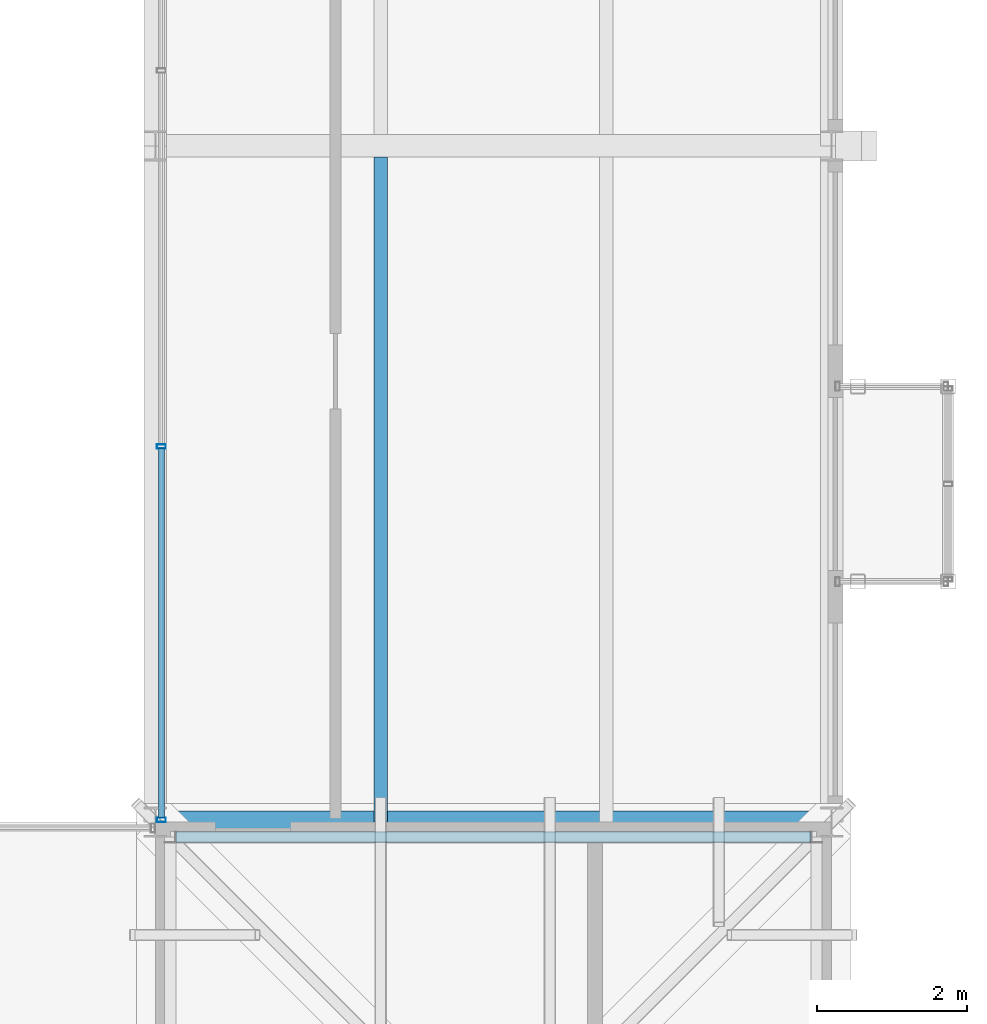
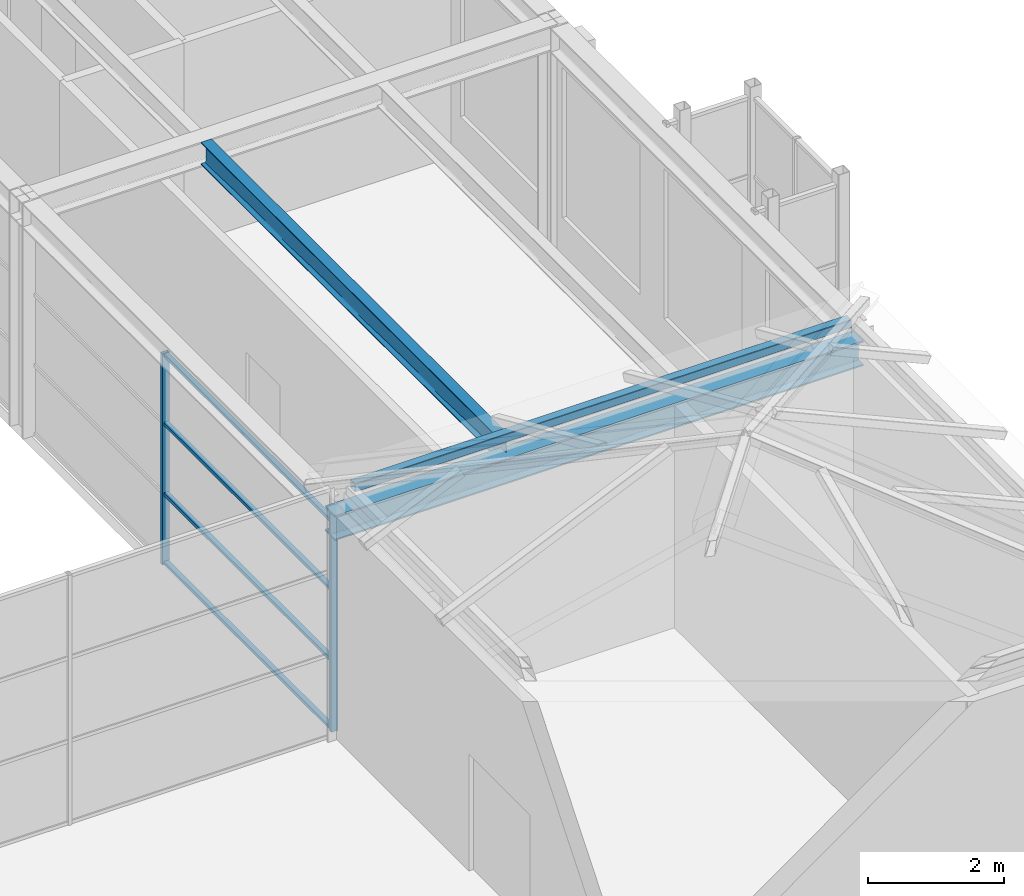
# One storey, part 25 of 149: 7 members, 2 beams, 1 element without a shape of its own.
"""IFC4 building model written with IfcOpenShell, lengths in metres."""

from ifc_helpers import new_model, si_unit, direction, frame, origin, origin_2d, place, context, subcontext, project, spatial, hollow_rectangle, i_section, extrude, material, material_profile, profile_set, type_object, element, aggregate, save


model = new_model("IFC4")

# Units and contexts
model_context = context("Model", 3, precision=1e-05, world=origin(), true_north=direction((0.0, 1.0)))
body_context = subcontext(model_context, "Body", "Model", "MODEL_VIEW")
ifc_project = project(units=[si_unit("LENGTHUNIT", "METRE"), si_unit("AREAUNIT", "SQUARE_METRE"), si_unit("VOLUMEUNIT", "CUBIC_METRE"), si_unit("PLANEANGLEUNIT", "RADIAN"), si_unit("MASSUNIT", "GRAM", prefix="KILO")], contexts=[model_context])

# Site, building, storey
site_placement = place(None, origin())
site = spatial("IfcSite", under=ifc_project, at=site_placement, CompositionType="ELEMENT")
building_placement = place(site_placement, origin())
building = spatial("IfcBuilding", under=site, at=building_placement, Name="Kallimachos Central Library", CompositionType="ELEMENT")
storey_placement = place(building_placement, frame((0.0, 0.0, 9.89990234375)))
storey = spatial("IfcBuildingStorey", under=building, at=storey_placement, Name="L02", CompositionType="ELEMENT", Elevation=9.89990234375)

# Curtain wall, members
ifc_material_1 = material(Name="Aluminium and laminated glass", Category="aluminium")
curtain_wall_type = type_object("IfcCurtainWallType", Name="Atrium glazed screen", PredefinedType="NOTDEFINED", material=ifc_material_1)
curtain_wall_placement = place(storey_placement, origin())
curtain_wall = element("IfcCurtainWall", 1, at=curtain_wall_placement, inside=storey, type_object=curtain_wall_type, Name="L02 atrium screen E", PredefinedType="NOTDEFINED")
ifc_material_2 = material(Name="Anodised aluminium", Category="aluminium")
ifc_material_profile_1 = material_profile(ifc_material_2, hollow_rectangle(XDim=0.06005859375, YDim=0.1201171875, WallThickness=0.00390625, at=origin_2d()), Name="ALU MULLION 60x120")
ifc_profile_set_1 = profile_set([ifc_material_profile_1], Name="Anodised aluminium")
member_type_1 = type_object("IfcMemberType", Name="Atrium screen mullion", PredefinedType="MULLION", material=ifc_profile_set_1)
member_1_placement = place(storey_placement, frame((101.580078125, 57.030029296875, 0.0), z_axis=(0.0, 0.0, 1.0), x_axis=(0.0, 1.0, 0.0)))
member_1 = element("IfcMember", 2, at=member_1_placement, type_object=member_type_1, Name="CW mullion 1", PredefinedType="MULLION", context=body_context, shape_type="SweptSolid", body=[
    extrude(hollow_rectangle(XDim=0.06005859375, YDim=0.1201171875, WallThickness=0.00390625, at=origin_2d()), origin(), (0.0, 0.0, 1.0), 3.800048828125),
])
member_2_placement = place(storey_placement, frame((101.580078125, 62.0, 0.0), z_axis=(0.0, 0.0, 1.0), x_axis=(0.0, 1.0, 0.0)))
member_2 = element("IfcMember", 3, at=member_2_placement, type_object=member_type_1, Name="CW mullion 2", PredefinedType="MULLION", context=body_context, shape_type="SweptSolid", body=[
    extrude(hollow_rectangle(XDim=0.06005859375, YDim=0.1201171875, WallThickness=0.00390625, at=origin_2d()), origin(), (0.0, 0.0, 1.0), 3.800048828125),
])
ifc_material_3 = material(Name="Anodised aluminium", Category="aluminium")
ifc_material_profile_2 = material_profile(ifc_material_3, hollow_rectangle(XDim=0.06005859375, YDim=0.080078125, WallThickness=0.00390625, at=origin_2d()), Name="ALU TRANSOM 60x80")
ifc_profile_set_2 = profile_set([ifc_material_profile_2], Name="Anodised aluminium")
member_type_2 = type_object("IfcMemberType", Name="Atrium screen transom", PredefinedType="USERDEFINED", material=ifc_profile_set_2)
member_3_placement = place(storey_placement, frame((101.580078125, 57.06005859375, 0.030029296875), z_axis=(0.0, 1.0, 0.0), x_axis=(0.0, 0.0, 1.0)))
member_3 = element("IfcMember", 4, at=member_3_placement, type_object=member_type_2, Name="CW transom 1.1", ObjectType="TRANSOM", PredefinedType="USERDEFINED", context=body_context, shape_type="SweptSolid", body=[
    extrude(hollow_rectangle(XDim=0.06005859375, YDim=0.080078125, WallThickness=0.00390625, at=origin_2d()), origin(), (0.0, 0.0, 1.0), 4.909912109375),
])
member_4_placement = place(storey_placement, frame((101.580078125, 57.06005859375, 1.266845703125), z_axis=(0.0, 1.0, 0.0), x_axis=(0.0, 0.0, 1.0)))
member_4 = element("IfcMember", 5, at=member_4_placement, type_object=member_type_2, Name="CW transom 1.2", ObjectType="TRANSOM", PredefinedType="USERDEFINED", context=body_context, shape_type="SweptSolid", body=[
    extrude(hollow_rectangle(XDim=0.06005859375, YDim=0.080078125, WallThickness=0.00390625, at=origin_2d()), origin(), (0.0, 0.0, 1.0), 4.909912109375),
])
member_5_placement = place(storey_placement, frame((101.580078125, 57.06005859375, 2.533447265625), z_axis=(0.0, 1.0, 0.0), x_axis=(0.0, 0.0, 1.0)))
member_5 = element("IfcMember", 6, at=member_5_placement, type_object=member_type_2, Name="CW transom 1.3", ObjectType="TRANSOM", PredefinedType="USERDEFINED", context=body_context, shape_type="SweptSolid", body=[
    extrude(hollow_rectangle(XDim=0.06005859375, YDim=0.080078125, WallThickness=0.00390625, at=origin_2d()), origin(), (0.0, 0.0, 1.0), 4.909912109375),
])
member_6_placement = place(storey_placement, frame((101.580078125, 57.06005859375, 3.77001953125), z_axis=(0.0, 1.0, 0.0), x_axis=(0.0, 0.0, 1.0)))
member_6 = element("IfcMember", 7, at=member_6_placement, type_object=member_type_2, Name="CW transom 1.4", ObjectType="TRANSOM", PredefinedType="USERDEFINED", context=body_context, shape_type="SweptSolid", body=[
    extrude(hollow_rectangle(XDim=0.06005859375, YDim=0.080078125, WallThickness=0.00390625, at=origin_2d()), origin(), (0.0, 0.0, 1.0), 4.909912109375),
])
aggregate(curtain_wall, [member_1, member_2, member_3, member_4, member_5, member_6])

# Beams
ifc_material_4 = material(Name="Steel S355J2", Category="steel")
ifc_material_profile_3 = material_profile(ifc_material_4, i_section(OverallWidth=0.300048828125, OverallDepth=0.449951171875, WebThickness=0.013916015625, FlangeThickness=0.02587890625, FilletRadius=0.027099609375, at=origin_2d()), Name="HEB 450")
ifc_profile_set_3 = profile_set([ifc_material_profile_3], Name="Steel S355J2")
beam_type_1 = type_object("IfcBeamType", Name="HEB 450 beam", PredefinedType="BEAM", material=ifc_profile_set_3)
beam_1_placement = place(storey_placement, frame((101.5, 57.0, 3.775146484375), z_axis=(1.0, 0.0, 0.0), x_axis=(0.0, 1.0, 0.0)))
element("IfcBeam", 8, at=beam_1_placement, inside=storey, type_object=beam_type_1, Name="V4-BEM-L02-031", PredefinedType="BEAM", context=body_context, shape_type="SweptSolid", body=[
    extrude(i_section(OverallWidth=0.300048828125, OverallDepth=0.449951171875, WebThickness=0.013916015625, FlangeThickness=0.02587890625, FilletRadius=0.027099609375, at=origin_2d()), origin(), (0.0, 0.0, 1.0), 9.0),
])
ifc_material_5 = material(Name="Steel S355J2", Category="steel")
ifc_material_profile_4 = material_profile(ifc_material_5, i_section(OverallWidth=0.179931640625, OverallDepth=0.39990234375, WebThickness=0.008544921875, FlangeThickness=0.013427734375, FilletRadius=0.02099609375, at=origin_2d()), Name="IPE 400")
ifc_profile_set_4 = profile_set([ifc_material_profile_4], Name="Steel S355J2")
beam_type_2 = type_object("IfcBeamType", Name="IPE 400 beam", PredefinedType="BEAM", material=ifc_profile_set_4)
beam_2_placement = place(storey_placement, frame((104.5, 57.0, 4.050048828125), z_axis=(0.0, 1.0, 0.0), x_axis=(-1.0, 0.0, 0.0)))
element("IfcBeam", 9, at=beam_2_placement, inside=storey, type_object=beam_type_2, Name="V4-BEM-L02-037", PredefinedType="BEAM", context=body_context, shape_type="SweptSolid", body=[
    extrude(i_section(OverallWidth=0.179931640625, OverallDepth=0.39990234375, WebThickness=0.008544921875, FlangeThickness=0.013427734375, FilletRadius=0.02099609375, at=origin_2d()), origin(), (0.0, 0.0, 1.0), 8.85009765625),
])

# Member
ifc_material_6 = material(Name="Steel S355J2H", Category="steel")
ifc_material_profile_5 = material_profile(ifc_material_6, hollow_rectangle(XDim=0.14990234375, YDim=0.14990234375, WallThickness=0.010009765625, InnerFilletRadius=0.010009765625, OuterFilletRadius=0.014892578125, at=origin_2d()), Name="SHS 150x150x10")
ifc_profile_set_5 = profile_set([ifc_material_profile_5], Name="Steel S355J2H")
member_type_3 = type_object("IfcMemberType", Name="SHS 150x150x10 eaves bearer", PredefinedType="STRINGER", material=ifc_profile_set_5)
member_7_placement = place(storey_placement, frame((101.77490234375, 56.800048828125, 4.47509765625), z_axis=(1.0, 0.0, 0.0), x_axis=(0.0, 1.0, 0.0)))
element("IfcMember", 10, at=member_7_placement, inside=storey, type_object=member_type_3, Name="Head-house roof V4-SE eaves bearer N", PredefinedType="STRINGER", context=body_context, shape_type="SweptSolid", body=[
    extrude(hollow_rectangle(XDim=0.14990234375, YDim=0.14990234375, WallThickness=0.010009765625, InnerFilletRadius=0.010009765625, OuterFilletRadius=0.014892578125, at=origin_2d()), origin(), (0.0, 0.0, 1.0), 8.4501953125),
])

save(model, "model.ifc")
